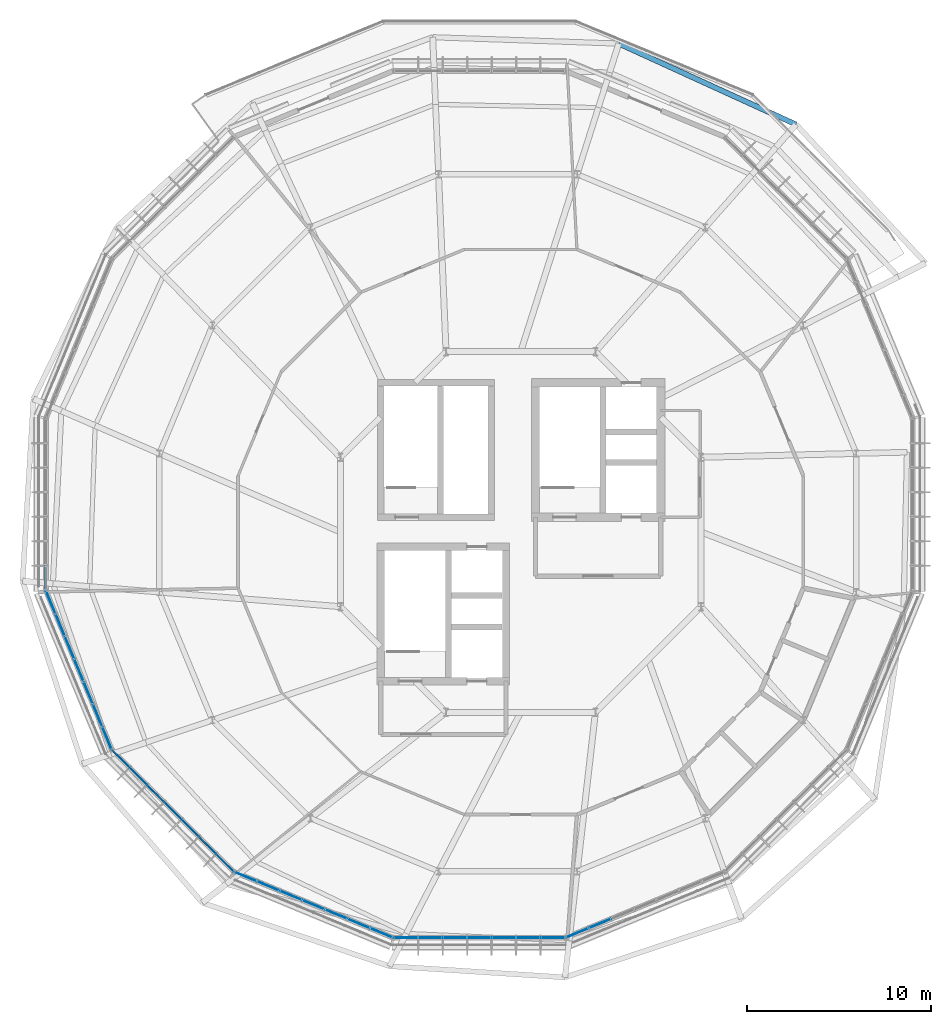
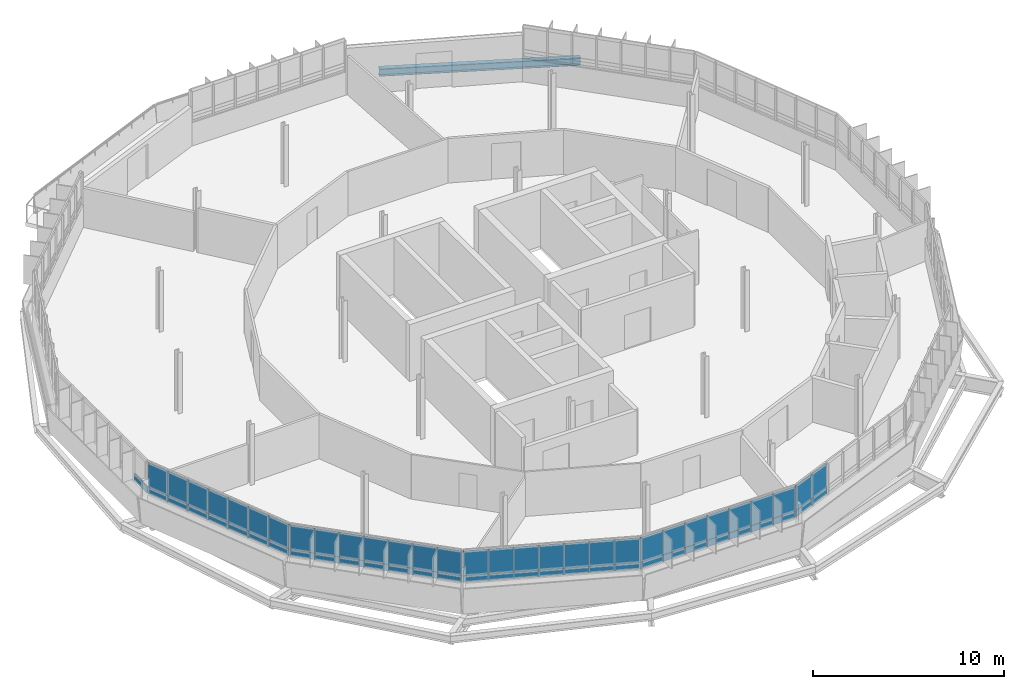
# One storey, part 23 of 31: 61 plates, 1 beam, 6 elements without a shape of their own.
"""IFC4 building model written with IfcOpenShell, lengths in metres."""

from ifc_helpers import new_model, si_unit, derived_unit, direction, frame, origin, origin_2d, place, context, subcontext, project, spatial, rectangle, i_section, extrude, material, layer, layer_set, material_profile, profile_set, type_object, element, aggregate, save


model = new_model("IFC4")

# Units and contexts
model_context = context("Model", 3, precision=1e-05, world=origin(), true_north=direction((0.0, 1.0)))
body_context = subcontext(model_context, "Body", "Model", "MODEL_VIEW")
ifc_project = project(units=[si_unit("LENGTHUNIT", "METRE"), si_unit("AREAUNIT", "SQUARE_METRE"), si_unit("VOLUMEUNIT", "CUBIC_METRE"), si_unit("PLANEANGLEUNIT", "RADIAN"), si_unit("MASSUNIT", "GRAM", prefix="KILO"), derived_unit("THERMALTRANSMITTANCEUNIT", [(si_unit("MASSUNIT", "GRAM", prefix="KILO"), 1), (si_unit("TIMEUNIT", "SECOND"), -3), (si_unit("THERMODYNAMICTEMPERATUREUNIT", "KELVIN"), -1)])], contexts=[model_context])

# Site, building, storey
site_placement = place(None, origin())
site = spatial("IfcSite", under=ifc_project, at=site_placement, CompositionType="ELEMENT")
building_placement = place(site_placement, origin())
building = spatial("IfcBuilding", under=site, at=building_placement, Name="Makaiwela Harbour Ferry Terminal", CompositionType="ELEMENT")
storey_placement = place(building_placement, frame((0.0, 0.0, 21.60009765625)))
storey = spatial("IfcBuildingStorey", under=building, at=storey_placement, Name="L05", CompositionType="ELEMENT", Elevation=21.60009765625)

# Beam
ifc_material_1 = material(Name="Steel ASTM A992 Grade 50", Category="steel")
ifc_material_profile = material_profile(ifc_material_1, i_section(OverallWidth=0.283935546875, OverallDepth=0.47607421875, WebThickness=0.014892578125, FlangeThickness=0.02392578125, at=origin_2d()), Name="W18X106")
ifc_profile_set = profile_set([ifc_material_profile], Name="Steel ASTM A992 Grade 50")
beam_type = type_object("IfcBeamType", Name="STR-SPN-W18X106", PredefinedType="SPANDREL", material=ifc_profile_set)
beam_placement = place(storey_placement, frame((52.754638671875, 89.731201171875, -0.488037109375), z_axis=(-0.909664708703, 0.415343373296, 0.0), x_axis=(-0.415343373296, -0.909664708703, 0.0)))
element("IfcBeam", 1, at=beam_placement, inside=storey, type_object=beam_type, Name="Drum perimeter spandrel 604", PredefinedType="SPANDREL", context=body_context, shape_type="SweptSolid", body=[
    extrude(i_section(OverallWidth=0.283935546875, OverallDepth=0.47607421875, WebThickness=0.014892578125, FlangeThickness=0.02392578125, at=origin_2d()), origin(), (0.0, 0.0, 1.0), 10.587646484375),
])

# Curtain wall, plates
ifc_material_2 = material(Name="Marine anodised aluminium 6063-T6", Category="aluminium")
ifc_layer_1 = layer(ifc_material_2, 0.199951171875)
ifc_layer_set_1 = layer_set([ifc_layer_1], Name="Marine anodised aluminium 6063-T6")
curtain_wall_type = type_object("IfcCurtainWallType", Name="ENV-CW-07", PredefinedType="USERDEFINED", material=ifc_layer_set_1)
curtain_wall_1_placement = place(storey_placement, origin())
curtain_wall_1 = element("IfcCurtainWall", 2, at=curtain_wall_1_placement, inside=storey, type_object=curtain_wall_type, Name="Unitised Curtain Wall CWA-064", ObjectType="UNITIZED CURTAIN WALL", PredefinedType="USERDEFINED")
ifc_material_3 = material(Name="Laminated hurricane-impact low-E insulated glazing", Category="glass")
ifc_layer_2 = layer(ifc_material_3, 0.031982421875)
ifc_layer_set_2 = layer_set([ifc_layer_2], Name="Laminated hurricane-impact low-E insulated glazing")
plate_type_1 = type_object("IfcPlateType", Name="CW-PNL-G10", PredefinedType="CURTAIN_PANEL", material=ifc_layer_set_2)
plate_1_placement = place(storey_placement, frame((12.277099609375, 63.776123046875, 1.89990234375), z_axis=(0.0, 0.0, 1.0), x_axis=(0.382683432365, -0.923879532511, 0.0)))
plate_1 = element("IfcPlate", 3, at=plate_1_placement, type_object=plate_type_1, Name="Glazed Vision Panel CWA-064-1G", PredefinedType="CURTAIN_PANEL", context=body_context, shape_type="SweptSolid", body=[
    extrude(rectangle(XDim=1.3291015625, YDim=0.031982421875, at=origin_2d()), origin(), (0.0, 0.0, 1.0), 1.580078125),
])
plate_2_placement = place(storey_placement, frame((12.78564453125, 62.548095703125, 1.89990234375), z_axis=(0.0, 0.0, 1.0), x_axis=(0.382683432365, -0.923879532511, 0.0)))
plate_2 = element("IfcPlate", 4, at=plate_2_placement, type_object=plate_type_1, Name="Glazed Vision Panel CWA-064-2G", PredefinedType="CURTAIN_PANEL", context=body_context, shape_type="SweptSolid", body=[
    extrude(rectangle(XDim=1.3291015625, YDim=0.031982421875, at=origin_2d()), origin(), (0.0, 0.0, 1.0), 1.580078125),
])
plate_3_placement = place(storey_placement, frame((13.294189453125, 61.320068359375, 1.89990234375), z_axis=(0.0, 0.0, 1.0), x_axis=(0.382683432365, -0.923879532511, 0.0)))
plate_3 = element("IfcPlate", 5, at=plate_3_placement, type_object=plate_type_1, Name="Glazed Vision Panel CWA-064-3G", PredefinedType="CURTAIN_PANEL", context=body_context, shape_type="SweptSolid", body=[
    extrude(rectangle(XDim=1.3291015625, YDim=0.031982421875, at=origin_2d()), origin(), (0.0, 0.0, 1.0), 1.580078125),
])
plate_4_placement = place(storey_placement, frame((13.802978515625, 60.092041015625, 1.89990234375), z_axis=(0.0, 0.0, 1.0), x_axis=(0.382683432365, -0.923879532511, 0.0)))
plate_4 = element("IfcPlate", 6, at=plate_4_placement, type_object=plate_type_1, Name="Glazed Vision Panel CWA-064-4G", PredefinedType="CURTAIN_PANEL", context=body_context, shape_type="SweptSolid", body=[
    extrude(rectangle(XDim=1.3291015625, YDim=0.031982421875, at=origin_2d()), origin(), (0.0, 0.0, 1.0), 1.580078125),
])
plate_5_placement = place(storey_placement, frame((14.3115234375, 58.864013671875, 1.89990234375), z_axis=(0.0, 0.0, 1.0), x_axis=(0.382683432365, -0.923879532511, 0.0)))
plate_5 = element("IfcPlate", 7, at=plate_5_placement, type_object=plate_type_1, Name="Glazed Vision Panel CWA-064-5G", PredefinedType="CURTAIN_PANEL", context=body_context, shape_type="SweptSolid", body=[
    extrude(rectangle(XDim=1.3291015625, YDim=0.031982421875, at=origin_2d()), origin(), (0.0, 0.0, 1.0), 1.580078125),
])
plate_6_placement = place(storey_placement, frame((14.8203125, 57.635986328125, 1.89990234375), z_axis=(0.0, 0.0, 1.0), x_axis=(0.382683432365, -0.923879532511, 0.0)))
plate_6 = element("IfcPlate", 8, at=plate_6_placement, type_object=plate_type_1, Name="Glazed Vision Panel CWA-064-6G", PredefinedType="CURTAIN_PANEL", context=body_context, shape_type="SweptSolid", body=[
    extrude(rectangle(XDim=1.3291015625, YDim=0.031982421875, at=origin_2d()), origin(), (0.0, 0.0, 1.0), 1.580078125),
])
plate_7_placement = place(storey_placement, frame((15.328857421875, 56.407958984375, 1.89990234375), z_axis=(0.0, 0.0, 1.0), x_axis=(0.382683432365, -0.923879532511, 0.0)))
plate_7 = element("IfcPlate", 9, at=plate_7_placement, type_object=plate_type_1, Name="Glazed Vision Panel CWA-064-7G", PredefinedType="CURTAIN_PANEL", context=body_context, shape_type="SweptSolid", body=[
    extrude(rectangle(XDim=1.3291015625, YDim=0.031982421875, at=origin_2d()), origin(), (0.0, 0.0, 1.0), 1.580078125),
])

curtain_wall_2_placement = place(storey_placement, origin())
curtain_wall_2 = element("IfcCurtainWall", 10, at=curtain_wall_2_placement, inside=storey, type_object=curtain_wall_type, Name="Unitised Curtain Wall CWA-065", ObjectType="UNITIZED CURTAIN WALL", PredefinedType="USERDEFINED")
plate_8_placement = place(storey_placement, frame((16.085693359375, 55.275146484375, 1.89990234375), z_axis=(0.0, 0.0, 1.0), x_axis=(0.707106781187, -0.707106781187, 0.0)))
plate_8 = element("IfcPlate", 11, at=plate_8_placement, type_object=plate_type_1, Name="Glazed Vision Panel CWA-065-1G", PredefinedType="CURTAIN_PANEL", context=body_context, shape_type="SweptSolid", body=[
    extrude(rectangle(XDim=1.3291015625, YDim=0.031982421875, at=origin_2d()), origin(), (0.0, 0.0, 1.0), 1.580078125),
])
plate_9_placement = place(storey_placement, frame((17.025634765625, 54.335205078125, 1.89990234375), z_axis=(0.0, 0.0, 1.0), x_axis=(0.707106781187, -0.707106781187, 0.0)))
plate_9 = element("IfcPlate", 12, at=plate_9_placement, type_object=plate_type_1, Name="Glazed Vision Panel CWA-065-2G", PredefinedType="CURTAIN_PANEL", context=body_context, shape_type="SweptSolid", body=[
    extrude(rectangle(XDim=1.3291015625, YDim=0.031982421875, at=origin_2d()), origin(), (0.0, 0.0, 1.0), 1.580078125),
])
plate_10_placement = place(storey_placement, frame((17.965576171875, 53.3955078125, 1.89990234375), z_axis=(0.0, 0.0, 1.0), x_axis=(0.707106781187, -0.707106781187, 0.0)))
plate_10 = element("IfcPlate", 13, at=plate_10_placement, type_object=plate_type_1, Name="Glazed Vision Panel CWA-065-3G", PredefinedType="CURTAIN_PANEL", context=body_context, shape_type="SweptSolid", body=[
    extrude(rectangle(XDim=1.3291015625, YDim=0.031982421875, at=origin_2d()), origin(), (0.0, 0.0, 1.0), 1.580078125),
])
plate_11_placement = place(storey_placement, frame((18.905517578125, 52.45556640625, 1.89990234375), z_axis=(0.0, 0.0, 1.0), x_axis=(0.707106781187, -0.707106781187, 0.0)))
plate_11 = element("IfcPlate", 14, at=plate_11_placement, type_object=plate_type_1, Name="Glazed Vision Panel CWA-065-4G", PredefinedType="CURTAIN_PANEL", context=body_context, shape_type="SweptSolid", body=[
    extrude(rectangle(XDim=1.3291015625, YDim=0.031982421875, at=origin_2d()), origin(), (0.0, 0.0, 1.0), 1.580078125),
])
plate_12_placement = place(storey_placement, frame((19.845458984375, 51.515625, 1.89990234375), z_axis=(0.0, 0.0, 1.0), x_axis=(0.707106781187, -0.707106781187, 0.0)))
plate_12 = element("IfcPlate", 15, at=plate_12_placement, type_object=plate_type_1, Name="Glazed Vision Panel CWA-065-5G", PredefinedType="CURTAIN_PANEL", context=body_context, shape_type="SweptSolid", body=[
    extrude(rectangle(XDim=1.3291015625, YDim=0.031982421875, at=origin_2d()), origin(), (0.0, 0.0, 1.0), 1.580078125),
])
plate_13_placement = place(storey_placement, frame((20.785400390625, 50.57568359375, 1.89990234375), z_axis=(0.0, 0.0, 1.0), x_axis=(0.707106781187, -0.707106781187, 0.0)))
plate_13 = element("IfcPlate", 16, at=plate_13_placement, type_object=plate_type_1, Name="Glazed Vision Panel CWA-065-6G", PredefinedType="CURTAIN_PANEL", context=body_context, shape_type="SweptSolid", body=[
    extrude(rectangle(XDim=1.3291015625, YDim=0.031982421875, at=origin_2d()), origin(), (0.0, 0.0, 1.0), 1.580078125),
])
plate_14_placement = place(storey_placement, frame((21.72509765625, 49.6357421875, 1.89990234375), z_axis=(0.0, 0.0, 1.0), x_axis=(0.707106781187, -0.707106781187, 0.0)))
plate_14 = element("IfcPlate", 17, at=plate_14_placement, type_object=plate_type_1, Name="Glazed Vision Panel CWA-065-7G", PredefinedType="CURTAIN_PANEL", context=body_context, shape_type="SweptSolid", body=[
    extrude(rectangle(XDim=1.3291015625, YDim=0.031982421875, at=origin_2d()), origin(), (0.0, 0.0, 1.0), 1.580078125),
])

curtain_wall_3_placement = place(storey_placement, origin())
curtain_wall_3 = element("IfcCurtainWall", 18, at=curtain_wall_3_placement, inside=storey, type_object=curtain_wall_type, Name="Unitised Curtain Wall CWA-066", ObjectType="UNITIZED CURTAIN WALL", PredefinedType="USERDEFINED")
plate_15_placement = place(storey_placement, frame((22.85791015625, 48.87890625, 1.89990234375), z_axis=(0.0, 0.0, 1.0), x_axis=(0.923879532511, -0.382683432365, 0.0)))
plate_15 = element("IfcPlate", 19, at=plate_15_placement, type_object=plate_type_1, Name="Glazed Vision Panel CWA-066-1G", PredefinedType="CURTAIN_PANEL", context=body_context, shape_type="SweptSolid", body=[
    extrude(rectangle(XDim=1.3291015625, YDim=0.031982421875, at=origin_2d()), origin(), (0.0, 0.0, 1.0), 1.580078125),
])
plate_16_placement = place(storey_placement, frame((24.0859375, 48.3701171875, 1.89990234375), z_axis=(0.0, 0.0, 1.0), x_axis=(0.923879532511, -0.382683432365, 0.0)))
plate_16 = element("IfcPlate", 20, at=plate_16_placement, type_object=plate_type_1, Name="Glazed Vision Panel CWA-066-2G", PredefinedType="CURTAIN_PANEL", context=body_context, shape_type="SweptSolid", body=[
    extrude(rectangle(XDim=1.3291015625, YDim=0.031982421875, at=origin_2d()), origin(), (0.0, 0.0, 1.0), 1.580078125),
])
plate_17_placement = place(storey_placement, frame((25.31396484375, 47.861572265625, 1.89990234375), z_axis=(0.0, 0.0, 1.0), x_axis=(0.923879532511, -0.382683432365, 0.0)))
plate_17 = element("IfcPlate", 21, at=plate_17_placement, type_object=plate_type_1, Name="Glazed Vision Panel CWA-066-3G", PredefinedType="CURTAIN_PANEL", context=body_context, shape_type="SweptSolid", body=[
    extrude(rectangle(XDim=1.3291015625, YDim=0.031982421875, at=origin_2d()), origin(), (0.0, 0.0, 1.0), 1.580078125),
])
plate_18_placement = place(storey_placement, frame((26.5419921875, 47.352783203125, 1.89990234375), z_axis=(0.0, 0.0, 1.0), x_axis=(0.923879532511, -0.382683432365, 0.0)))
plate_18 = element("IfcPlate", 22, at=plate_18_placement, type_object=plate_type_1, Name="Glazed Vision Panel CWA-066-4G", PredefinedType="CURTAIN_PANEL", context=body_context, shape_type="SweptSolid", body=[
    extrude(rectangle(XDim=1.3291015625, YDim=0.031982421875, at=origin_2d()), origin(), (0.0, 0.0, 1.0), 1.580078125),
])
plate_19_placement = place(storey_placement, frame((27.77001953125, 46.84423828125, 1.89990234375), z_axis=(0.0, 0.0, 1.0), x_axis=(0.923879532511, -0.382683432365, 0.0)))
plate_19 = element("IfcPlate", 23, at=plate_19_placement, type_object=plate_type_1, Name="Glazed Vision Panel CWA-066-5G", PredefinedType="CURTAIN_PANEL", context=body_context, shape_type="SweptSolid", body=[
    extrude(rectangle(XDim=1.3291015625, YDim=0.031982421875, at=origin_2d()), origin(), (0.0, 0.0, 1.0), 1.580078125),
])
plate_20_placement = place(storey_placement, frame((28.998046875, 46.335693359375, 1.89990234375), z_axis=(0.0, 0.0, 1.0), x_axis=(0.923879532511, -0.382683432365, 0.0)))
plate_20 = element("IfcPlate", 24, at=plate_20_placement, type_object=plate_type_1, Name="Glazed Vision Panel CWA-066-6G", PredefinedType="CURTAIN_PANEL", context=body_context, shape_type="SweptSolid", body=[
    extrude(rectangle(XDim=1.3291015625, YDim=0.031982421875, at=origin_2d()), origin(), (0.0, 0.0, 1.0), 1.580078125),
])
plate_21_placement = place(storey_placement, frame((30.22607421875, 45.826904296875, 1.89990234375), z_axis=(0.0, 0.0, 1.0), x_axis=(0.923879532511, -0.382683432365, 0.0)))
plate_21 = element("IfcPlate", 25, at=plate_21_placement, type_object=plate_type_1, Name="Glazed Vision Panel CWA-066-7G", PredefinedType="CURTAIN_PANEL", context=body_context, shape_type="SweptSolid", body=[
    extrude(rectangle(XDim=1.3291015625, YDim=0.031982421875, at=origin_2d()), origin(), (0.0, 0.0, 1.0), 1.580078125),
])

curtain_wall_4_placement = place(storey_placement, origin())
curtain_wall_4 = element("IfcCurtainWall", 26, at=curtain_wall_4_placement, inside=storey, type_object=curtain_wall_type, Name="Unitised Curtain Wall CWA-067", ObjectType="UNITIZED CURTAIN WALL", PredefinedType="USERDEFINED")
plate_22_placement = place(storey_placement, frame((31.5625, 45.561279296875, 1.89990234375), z_axis=(0.0, 0.0, 1.0), x_axis=(1.0, 0.0, 0.0)))
plate_22 = element("IfcPlate", 27, at=plate_22_placement, type_object=plate_type_1, Name="Glazed Vision Panel CWA-067-1G", PredefinedType="CURTAIN_PANEL", context=body_context, shape_type="SweptSolid", body=[
    extrude(rectangle(XDim=1.3291015625, YDim=0.031982421875, at=origin_2d()), origin(), (0.0, 0.0, 1.0), 1.580078125),
])
plate_23_placement = place(storey_placement, frame((32.8916015625, 45.561279296875, 1.89990234375), z_axis=(0.0, 0.0, 1.0), x_axis=(1.0, 0.0, 0.0)))
plate_23 = element("IfcPlate", 28, at=plate_23_placement, type_object=plate_type_1, Name="Glazed Vision Panel CWA-067-2G", PredefinedType="CURTAIN_PANEL", context=body_context, shape_type="SweptSolid", body=[
    extrude(rectangle(XDim=1.3291015625, YDim=0.031982421875, at=origin_2d()), origin(), (0.0, 0.0, 1.0), 1.580078125),
])
plate_24_placement = place(storey_placement, frame((34.220703125, 45.561279296875, 1.89990234375), z_axis=(0.0, 0.0, 1.0), x_axis=(1.0, 0.0, 0.0)))
plate_24 = element("IfcPlate", 29, at=plate_24_placement, type_object=plate_type_1, Name="Glazed Vision Panel CWA-067-3G", PredefinedType="CURTAIN_PANEL", context=body_context, shape_type="SweptSolid", body=[
    extrude(rectangle(XDim=1.3291015625, YDim=0.031982421875, at=origin_2d()), origin(), (0.0, 0.0, 1.0), 1.580078125),
])
plate_25_placement = place(storey_placement, frame((35.550048828125, 45.561279296875, 1.89990234375), z_axis=(0.0, 0.0, 1.0), x_axis=(1.0, 0.0, 0.0)))
plate_25 = element("IfcPlate", 30, at=plate_25_placement, type_object=plate_type_1, Name="Glazed Vision Panel CWA-067-4G", PredefinedType="CURTAIN_PANEL", context=body_context, shape_type="SweptSolid", body=[
    extrude(rectangle(XDim=1.3291015625, YDim=0.031982421875, at=origin_2d()), origin(), (0.0, 0.0, 1.0), 1.580078125),
])
plate_26_placement = place(storey_placement, frame((36.879150390625, 45.561279296875, 1.89990234375), z_axis=(0.0, 0.0, 1.0), x_axis=(1.0, 0.0, 0.0)))
plate_26 = element("IfcPlate", 31, at=plate_26_placement, type_object=plate_type_1, Name="Glazed Vision Panel CWA-067-5G", PredefinedType="CURTAIN_PANEL", context=body_context, shape_type="SweptSolid", body=[
    extrude(rectangle(XDim=1.3291015625, YDim=0.031982421875, at=origin_2d()), origin(), (0.0, 0.0, 1.0), 1.580078125),
])
plate_27_placement = place(storey_placement, frame((38.20849609375, 45.561279296875, 1.89990234375), z_axis=(0.0, 0.0, 1.0), x_axis=(1.0, 0.0, 0.0)))
plate_27 = element("IfcPlate", 32, at=plate_27_placement, type_object=plate_type_1, Name="Glazed Vision Panel CWA-067-6G", PredefinedType="CURTAIN_PANEL", context=body_context, shape_type="SweptSolid", body=[
    extrude(rectangle(XDim=1.3291015625, YDim=0.031982421875, at=origin_2d()), origin(), (0.0, 0.0, 1.0), 1.580078125),
])
plate_28_placement = place(storey_placement, frame((39.53759765625, 45.561279296875, 1.89990234375), z_axis=(0.0, 0.0, 1.0), x_axis=(1.0, 0.0, 0.0)))
plate_28 = element("IfcPlate", 33, at=plate_28_placement, type_object=plate_type_1, Name="Glazed Vision Panel CWA-067-7G", PredefinedType="CURTAIN_PANEL", context=body_context, shape_type="SweptSolid", body=[
    extrude(rectangle(XDim=1.3291015625, YDim=0.031982421875, at=origin_2d()), origin(), (0.0, 0.0, 1.0), 1.580078125),
])

curtain_wall_5_placement = place(storey_placement, origin())
curtain_wall_5 = element("IfcCurtainWall", 34, at=curtain_wall_5_placement, inside=storey, type_object=curtain_wall_type, Name="Unitised Curtain Wall CWA-068", ObjectType="UNITIZED CURTAIN WALL", PredefinedType="USERDEFINED")
plate_29_placement = place(storey_placement, frame((40.873779296875, 45.826904296875, 1.89990234375), z_axis=(0.0, 0.0, 1.0), x_axis=(0.923879532511, 0.382683432365, 0.0)))
plate_29 = element("IfcPlate", 35, at=plate_29_placement, type_object=plate_type_1, Name="Glazed Vision Panel CWA-068-1G", PredefinedType="CURTAIN_PANEL", context=body_context, shape_type="SweptSolid", body=[
    extrude(rectangle(XDim=1.3291015625, YDim=0.031982421875, at=origin_2d()), origin(), (0.0, 0.0, 1.0), 1.580078125),
])
plate_30_placement = place(storey_placement, frame((42.101806640625, 46.335693359375, 1.89990234375), z_axis=(0.0, 0.0, 1.0), x_axis=(0.923879532511, 0.382683432365, 0.0)))
plate_30 = element("IfcPlate", 36, at=plate_30_placement, type_object=plate_type_1, Name="Glazed Vision Panel CWA-068-2G", PredefinedType="CURTAIN_PANEL", context=body_context, shape_type="SweptSolid", body=[
    extrude(rectangle(XDim=1.3291015625, YDim=0.031982421875, at=origin_2d()), origin(), (0.0, 0.0, 1.0), 1.580078125),
])

# Curtain wall, plate
curtain_wall_6_placement = place(storey_placement, origin())
curtain_wall_6 = element("IfcCurtainWall", 37, at=curtain_wall_6_placement, inside=storey, type_object=curtain_wall_type, Name="Unitised Curtain Wall CWA-063", ObjectType="UNITIZED CURTAIN WALL", PredefinedType="USERDEFINED")
ifc_material_4 = material(Name="Insulated marine aluminium spandrel panel", Category="aluminium")
ifc_layer_3 = layer(ifc_material_4, 0.048095703125)
ifc_layer_set_3 = layer_set([ifc_layer_3], Name="Insulated marine aluminium spandrel panel")
plate_type_2 = type_object("IfcPlateType", Name="CW-PNL-S01", PredefinedType="CURTAIN_PANEL", material=ifc_layer_set_3)
plate_31_placement = place(storey_placement, frame((12.01123046875, 65.1123046875, 1.47998046875), z_axis=(0.0, 0.0, 1.0), x_axis=(0.0, -1.0, 0.0)))
plate_31 = element("IfcPlate", 38, at=plate_31_placement, type_object=plate_type_2, Name="Spandrel Panel CWA-063-7S", PredefinedType="CURTAIN_PANEL", context=body_context, shape_type="SweptSolid", body=[
    extrude(rectangle(XDim=1.3291015625, YDim=0.048095703125, at=origin_2d()), origin(), (0.0, 0.0, 1.0), 0.419921875),
])
aggregate(curtain_wall_6, [plate_31])

# Plate
plate_32_placement = place(storey_placement, frame((12.277099609375, 63.776123046875, 1.47998046875), z_axis=(0.0, 0.0, 1.0), x_axis=(0.382683432365, -0.923879532511, 0.0)))
plate_32 = element("IfcPlate", 39, at=plate_32_placement, type_object=plate_type_2, Name="Spandrel Panel CWA-064-1S", PredefinedType="CURTAIN_PANEL", context=body_context, shape_type="SweptSolid", body=[
    extrude(rectangle(XDim=1.3291015625, YDim=0.048095703125, at=origin_2d()), origin(), (0.0, 0.0, 1.0), 0.419921875),
])

plate_33_placement = place(storey_placement, frame((12.78564453125, 62.548095703125, 1.47998046875), z_axis=(0.0, 0.0, 1.0), x_axis=(0.382683432365, -0.923879532511, 0.0)))
plate_33 = element("IfcPlate", 40, at=plate_33_placement, type_object=plate_type_2, Name="Spandrel Panel CWA-064-2S", PredefinedType="CURTAIN_PANEL", context=body_context, shape_type="SweptSolid", body=[
    extrude(rectangle(XDim=1.3291015625, YDim=0.048095703125, at=origin_2d()), origin(), (0.0, 0.0, 1.0), 0.419921875),
])

plate_34_placement = place(storey_placement, frame((13.294189453125, 61.320068359375, 1.47998046875), z_axis=(0.0, 0.0, 1.0), x_axis=(0.382683432365, -0.923879532511, 0.0)))
plate_34 = element("IfcPlate", 41, at=plate_34_placement, type_object=plate_type_2, Name="Spandrel Panel CWA-064-3S", PredefinedType="CURTAIN_PANEL", context=body_context, shape_type="SweptSolid", body=[
    extrude(rectangle(XDim=1.3291015625, YDim=0.048095703125, at=origin_2d()), origin(), (0.0, 0.0, 1.0), 0.419921875),
])

plate_35_placement = place(storey_placement, frame((13.802978515625, 60.092041015625, 1.47998046875), z_axis=(0.0, 0.0, 1.0), x_axis=(0.382683432365, -0.923879532511, 0.0)))
plate_35 = element("IfcPlate", 42, at=plate_35_placement, type_object=plate_type_2, Name="Spandrel Panel CWA-064-4S", PredefinedType="CURTAIN_PANEL", context=body_context, shape_type="SweptSolid", body=[
    extrude(rectangle(XDim=1.3291015625, YDim=0.048095703125, at=origin_2d()), origin(), (0.0, 0.0, 1.0), 0.419921875),
])

plate_36_placement = place(storey_placement, frame((14.3115234375, 58.864013671875, 1.47998046875), z_axis=(0.0, 0.0, 1.0), x_axis=(0.382683432365, -0.923879532511, 0.0)))
plate_36 = element("IfcPlate", 43, at=plate_36_placement, type_object=plate_type_2, Name="Spandrel Panel CWA-064-5S", PredefinedType="CURTAIN_PANEL", context=body_context, shape_type="SweptSolid", body=[
    extrude(rectangle(XDim=1.3291015625, YDim=0.048095703125, at=origin_2d()), origin(), (0.0, 0.0, 1.0), 0.419921875),
])

plate_37_placement = place(storey_placement, frame((14.8203125, 57.635986328125, 1.47998046875), z_axis=(0.0, 0.0, 1.0), x_axis=(0.382683432365, -0.923879532511, 0.0)))
plate_37 = element("IfcPlate", 44, at=plate_37_placement, type_object=plate_type_2, Name="Spandrel Panel CWA-064-6S", PredefinedType="CURTAIN_PANEL", context=body_context, shape_type="SweptSolid", body=[
    extrude(rectangle(XDim=1.3291015625, YDim=0.048095703125, at=origin_2d()), origin(), (0.0, 0.0, 1.0), 0.419921875),
])

plate_38_placement = place(storey_placement, frame((15.328857421875, 56.407958984375, 1.47998046875), z_axis=(0.0, 0.0, 1.0), x_axis=(0.382683432365, -0.923879532511, 0.0)))
plate_38 = element("IfcPlate", 45, at=plate_38_placement, type_object=plate_type_2, Name="Spandrel Panel CWA-064-7S", PredefinedType="CURTAIN_PANEL", context=body_context, shape_type="SweptSolid", body=[
    extrude(rectangle(XDim=1.3291015625, YDim=0.048095703125, at=origin_2d()), origin(), (0.0, 0.0, 1.0), 0.419921875),
])

aggregate(curtain_wall_1, [plate_32, plate_1, plate_33, plate_2, plate_34, plate_3, plate_35, plate_4, plate_36, plate_5, plate_37, plate_6, plate_38, plate_7])

plate_39_placement = place(storey_placement, frame((16.085693359375, 55.275146484375, 1.47998046875), z_axis=(0.0, 0.0, 1.0), x_axis=(0.707106781187, -0.707106781187, 0.0)))
plate_39 = element("IfcPlate", 46, at=plate_39_placement, type_object=plate_type_2, Name="Spandrel Panel CWA-065-1S", PredefinedType="CURTAIN_PANEL", context=body_context, shape_type="SweptSolid", body=[
    extrude(rectangle(XDim=1.3291015625, YDim=0.048095703125, at=origin_2d()), origin(), (0.0, 0.0, 1.0), 0.419921875),
])

plate_40_placement = place(storey_placement, frame((17.025634765625, 54.335205078125, 1.47998046875), z_axis=(0.0, 0.0, 1.0), x_axis=(0.707106781187, -0.707106781187, 0.0)))
plate_40 = element("IfcPlate", 47, at=plate_40_placement, type_object=plate_type_2, Name="Spandrel Panel CWA-065-2S", PredefinedType="CURTAIN_PANEL", context=body_context, shape_type="SweptSolid", body=[
    extrude(rectangle(XDim=1.3291015625, YDim=0.048095703125, at=origin_2d()), origin(), (0.0, 0.0, 1.0), 0.419921875),
])

plate_41_placement = place(storey_placement, frame((17.965576171875, 53.3955078125, 1.47998046875), z_axis=(0.0, 0.0, 1.0), x_axis=(0.707106781187, -0.707106781187, 0.0)))
plate_41 = element("IfcPlate", 48, at=plate_41_placement, type_object=plate_type_2, Name="Spandrel Panel CWA-065-3S", PredefinedType="CURTAIN_PANEL", context=body_context, shape_type="SweptSolid", body=[
    extrude(rectangle(XDim=1.3291015625, YDim=0.048095703125, at=origin_2d()), origin(), (0.0, 0.0, 1.0), 0.419921875),
])

plate_42_placement = place(storey_placement, frame((18.905517578125, 52.45556640625, 1.47998046875), z_axis=(0.0, 0.0, 1.0), x_axis=(0.707106781187, -0.707106781187, 0.0)))
plate_42 = element("IfcPlate", 49, at=plate_42_placement, type_object=plate_type_2, Name="Spandrel Panel CWA-065-4S", PredefinedType="CURTAIN_PANEL", context=body_context, shape_type="SweptSolid", body=[
    extrude(rectangle(XDim=1.3291015625, YDim=0.048095703125, at=origin_2d()), origin(), (0.0, 0.0, 1.0), 0.419921875),
])

plate_43_placement = place(storey_placement, frame((19.845458984375, 51.515625, 1.47998046875), z_axis=(0.0, 0.0, 1.0), x_axis=(0.707106781187, -0.707106781187, 0.0)))
plate_43 = element("IfcPlate", 50, at=plate_43_placement, type_object=plate_type_2, Name="Spandrel Panel CWA-065-5S", PredefinedType="CURTAIN_PANEL", context=body_context, shape_type="SweptSolid", body=[
    extrude(rectangle(XDim=1.3291015625, YDim=0.048095703125, at=origin_2d()), origin(), (0.0, 0.0, 1.0), 0.419921875),
])

plate_44_placement = place(storey_placement, frame((20.785400390625, 50.57568359375, 1.47998046875), z_axis=(0.0, 0.0, 1.0), x_axis=(0.707106781187, -0.707106781187, 0.0)))
plate_44 = element("IfcPlate", 51, at=plate_44_placement, type_object=plate_type_2, Name="Spandrel Panel CWA-065-6S", PredefinedType="CURTAIN_PANEL", context=body_context, shape_type="SweptSolid", body=[
    extrude(rectangle(XDim=1.3291015625, YDim=0.048095703125, at=origin_2d()), origin(), (0.0, 0.0, 1.0), 0.419921875),
])

plate_45_placement = place(storey_placement, frame((21.72509765625, 49.6357421875, 1.47998046875), z_axis=(0.0, 0.0, 1.0), x_axis=(0.707106781187, -0.707106781187, 0.0)))
plate_45 = element("IfcPlate", 52, at=plate_45_placement, type_object=plate_type_2, Name="Spandrel Panel CWA-065-7S", PredefinedType="CURTAIN_PANEL", context=body_context, shape_type="SweptSolid", body=[
    extrude(rectangle(XDim=1.3291015625, YDim=0.048095703125, at=origin_2d()), origin(), (0.0, 0.0, 1.0), 0.419921875),
])

aggregate(curtain_wall_2, [plate_39, plate_8, plate_40, plate_9, plate_41, plate_10, plate_42, plate_11, plate_43, plate_12, plate_44, plate_13, plate_45, plate_14])

plate_46_placement = place(storey_placement, frame((22.85791015625, 48.87890625, 1.47998046875), z_axis=(0.0, 0.0, 1.0), x_axis=(0.923879532511, -0.382683432365, 0.0)))
plate_46 = element("IfcPlate", 53, at=plate_46_placement, type_object=plate_type_2, Name="Spandrel Panel CWA-066-1S", PredefinedType="CURTAIN_PANEL", context=body_context, shape_type="SweptSolid", body=[
    extrude(rectangle(XDim=1.3291015625, YDim=0.048095703125, at=origin_2d()), origin(), (0.0, 0.0, 1.0), 0.419921875),
])

plate_47_placement = place(storey_placement, frame((24.0859375, 48.3701171875, 1.47998046875), z_axis=(0.0, 0.0, 1.0), x_axis=(0.923879532511, -0.382683432365, 0.0)))
plate_47 = element("IfcPlate", 54, at=plate_47_placement, type_object=plate_type_2, Name="Spandrel Panel CWA-066-2S", PredefinedType="CURTAIN_PANEL", context=body_context, shape_type="SweptSolid", body=[
    extrude(rectangle(XDim=1.3291015625, YDim=0.048095703125, at=origin_2d()), origin(), (0.0, 0.0, 1.0), 0.419921875),
])

plate_48_placement = place(storey_placement, frame((25.31396484375, 47.861572265625, 1.47998046875), z_axis=(0.0, 0.0, 1.0), x_axis=(0.923879532511, -0.382683432365, 0.0)))
plate_48 = element("IfcPlate", 55, at=plate_48_placement, type_object=plate_type_2, Name="Spandrel Panel CWA-066-3S", PredefinedType="CURTAIN_PANEL", context=body_context, shape_type="SweptSolid", body=[
    extrude(rectangle(XDim=1.3291015625, YDim=0.048095703125, at=origin_2d()), origin(), (0.0, 0.0, 1.0), 0.419921875),
])

plate_49_placement = place(storey_placement, frame((26.5419921875, 47.352783203125, 1.47998046875), z_axis=(0.0, 0.0, 1.0), x_axis=(0.923879532511, -0.382683432365, 0.0)))
plate_49 = element("IfcPlate", 56, at=plate_49_placement, type_object=plate_type_2, Name="Spandrel Panel CWA-066-4S", PredefinedType="CURTAIN_PANEL", context=body_context, shape_type="SweptSolid", body=[
    extrude(rectangle(XDim=1.3291015625, YDim=0.048095703125, at=origin_2d()), origin(), (0.0, 0.0, 1.0), 0.419921875),
])

plate_50_placement = place(storey_placement, frame((27.77001953125, 46.84423828125, 1.47998046875), z_axis=(0.0, 0.0, 1.0), x_axis=(0.923879532511, -0.382683432365, 0.0)))
plate_50 = element("IfcPlate", 57, at=plate_50_placement, type_object=plate_type_2, Name="Spandrel Panel CWA-066-5S", PredefinedType="CURTAIN_PANEL", context=body_context, shape_type="SweptSolid", body=[
    extrude(rectangle(XDim=1.3291015625, YDim=0.048095703125, at=origin_2d()), origin(), (0.0, 0.0, 1.0), 0.419921875),
])

plate_51_placement = place(storey_placement, frame((28.998046875, 46.335693359375, 1.47998046875), z_axis=(0.0, 0.0, 1.0), x_axis=(0.923879532511, -0.382683432365, 0.0)))
plate_51 = element("IfcPlate", 58, at=plate_51_placement, type_object=plate_type_2, Name="Spandrel Panel CWA-066-6S", PredefinedType="CURTAIN_PANEL", context=body_context, shape_type="SweptSolid", body=[
    extrude(rectangle(XDim=1.3291015625, YDim=0.048095703125, at=origin_2d()), origin(), (0.0, 0.0, 1.0), 0.419921875),
])

plate_52_placement = place(storey_placement, frame((30.22607421875, 45.826904296875, 1.47998046875), z_axis=(0.0, 0.0, 1.0), x_axis=(0.923879532511, -0.382683432365, 0.0)))
plate_52 = element("IfcPlate", 59, at=plate_52_placement, type_object=plate_type_2, Name="Spandrel Panel CWA-066-7S", PredefinedType="CURTAIN_PANEL", context=body_context, shape_type="SweptSolid", body=[
    extrude(rectangle(XDim=1.3291015625, YDim=0.048095703125, at=origin_2d()), origin(), (0.0, 0.0, 1.0), 0.419921875),
])

aggregate(curtain_wall_3, [plate_46, plate_15, plate_47, plate_16, plate_48, plate_17, plate_49, plate_18, plate_50, plate_19, plate_51, plate_20, plate_52, plate_21])

plate_53_placement = place(storey_placement, frame((31.5625, 45.561279296875, 1.47998046875), z_axis=(0.0, 0.0, 1.0), x_axis=(1.0, 0.0, 0.0)))
plate_53 = element("IfcPlate", 60, at=plate_53_placement, type_object=plate_type_2, Name="Spandrel Panel CWA-067-1S", PredefinedType="CURTAIN_PANEL", context=body_context, shape_type="SweptSolid", body=[
    extrude(rectangle(XDim=1.3291015625, YDim=0.048095703125, at=origin_2d()), origin(), (0.0, 0.0, 1.0), 0.419921875),
])

plate_54_placement = place(storey_placement, frame((32.8916015625, 45.561279296875, 1.47998046875), z_axis=(0.0, 0.0, 1.0), x_axis=(1.0, 0.0, 0.0)))
plate_54 = element("IfcPlate", 61, at=plate_54_placement, type_object=plate_type_2, Name="Spandrel Panel CWA-067-2S", PredefinedType="CURTAIN_PANEL", context=body_context, shape_type="SweptSolid", body=[
    extrude(rectangle(XDim=1.3291015625, YDim=0.048095703125, at=origin_2d()), origin(), (0.0, 0.0, 1.0), 0.419921875),
])

plate_55_placement = place(storey_placement, frame((34.220703125, 45.561279296875, 1.47998046875), z_axis=(0.0, 0.0, 1.0), x_axis=(1.0, 0.0, 0.0)))
plate_55 = element("IfcPlate", 62, at=plate_55_placement, type_object=plate_type_2, Name="Spandrel Panel CWA-067-3S", PredefinedType="CURTAIN_PANEL", context=body_context, shape_type="SweptSolid", body=[
    extrude(rectangle(XDim=1.3291015625, YDim=0.048095703125, at=origin_2d()), origin(), (0.0, 0.0, 1.0), 0.419921875),
])

plate_56_placement = place(storey_placement, frame((35.550048828125, 45.561279296875, 1.47998046875), z_axis=(0.0, 0.0, 1.0), x_axis=(1.0, 0.0, 0.0)))
plate_56 = element("IfcPlate", 63, at=plate_56_placement, type_object=plate_type_2, Name="Spandrel Panel CWA-067-4S", PredefinedType="CURTAIN_PANEL", context=body_context, shape_type="SweptSolid", body=[
    extrude(rectangle(XDim=1.3291015625, YDim=0.048095703125, at=origin_2d()), origin(), (0.0, 0.0, 1.0), 0.419921875),
])

plate_57_placement = place(storey_placement, frame((36.879150390625, 45.561279296875, 1.47998046875), z_axis=(0.0, 0.0, 1.0), x_axis=(1.0, 0.0, 0.0)))
plate_57 = element("IfcPlate", 64, at=plate_57_placement, type_object=plate_type_2, Name="Spandrel Panel CWA-067-5S", PredefinedType="CURTAIN_PANEL", context=body_context, shape_type="SweptSolid", body=[
    extrude(rectangle(XDim=1.3291015625, YDim=0.048095703125, at=origin_2d()), origin(), (0.0, 0.0, 1.0), 0.419921875),
])

plate_58_placement = place(storey_placement, frame((38.20849609375, 45.561279296875, 1.47998046875), z_axis=(0.0, 0.0, 1.0), x_axis=(1.0, 0.0, 0.0)))
plate_58 = element("IfcPlate", 65, at=plate_58_placement, type_object=plate_type_2, Name="Spandrel Panel CWA-067-6S", PredefinedType="CURTAIN_PANEL", context=body_context, shape_type="SweptSolid", body=[
    extrude(rectangle(XDim=1.3291015625, YDim=0.048095703125, at=origin_2d()), origin(), (0.0, 0.0, 1.0), 0.419921875),
])

plate_59_placement = place(storey_placement, frame((39.53759765625, 45.561279296875, 1.47998046875), z_axis=(0.0, 0.0, 1.0), x_axis=(1.0, 0.0, 0.0)))
plate_59 = element("IfcPlate", 66, at=plate_59_placement, type_object=plate_type_2, Name="Spandrel Panel CWA-067-7S", PredefinedType="CURTAIN_PANEL", context=body_context, shape_type="SweptSolid", body=[
    extrude(rectangle(XDim=1.3291015625, YDim=0.048095703125, at=origin_2d()), origin(), (0.0, 0.0, 1.0), 0.419921875),
])

aggregate(curtain_wall_4, [plate_53, plate_22, plate_54, plate_23, plate_55, plate_24, plate_56, plate_25, plate_57, plate_26, plate_58, plate_27, plate_59, plate_28])

plate_60_placement = place(storey_placement, frame((40.873779296875, 45.826904296875, 1.47998046875), z_axis=(0.0, 0.0, 1.0), x_axis=(0.923879532511, 0.382683432365, 0.0)))
plate_60 = element("IfcPlate", 67, at=plate_60_placement, type_object=plate_type_2, Name="Spandrel Panel CWA-068-1S", PredefinedType="CURTAIN_PANEL", context=body_context, shape_type="SweptSolid", body=[
    extrude(rectangle(XDim=1.3291015625, YDim=0.048095703125, at=origin_2d()), origin(), (0.0, 0.0, 1.0), 0.419921875),
])

plate_61_placement = place(storey_placement, frame((42.101806640625, 46.335693359375, 1.47998046875), z_axis=(0.0, 0.0, 1.0), x_axis=(0.923879532511, 0.382683432365, 0.0)))
plate_61 = element("IfcPlate", 68, at=plate_61_placement, type_object=plate_type_2, Name="Spandrel Panel CWA-068-2S", PredefinedType="CURTAIN_PANEL", context=body_context, shape_type="SweptSolid", body=[
    extrude(rectangle(XDim=1.3291015625, YDim=0.048095703125, at=origin_2d()), origin(), (0.0, 0.0, 1.0), 0.419921875),
])

aggregate(curtain_wall_5, [plate_60, plate_29, plate_61, plate_30])

save(model, "model.ifc")
